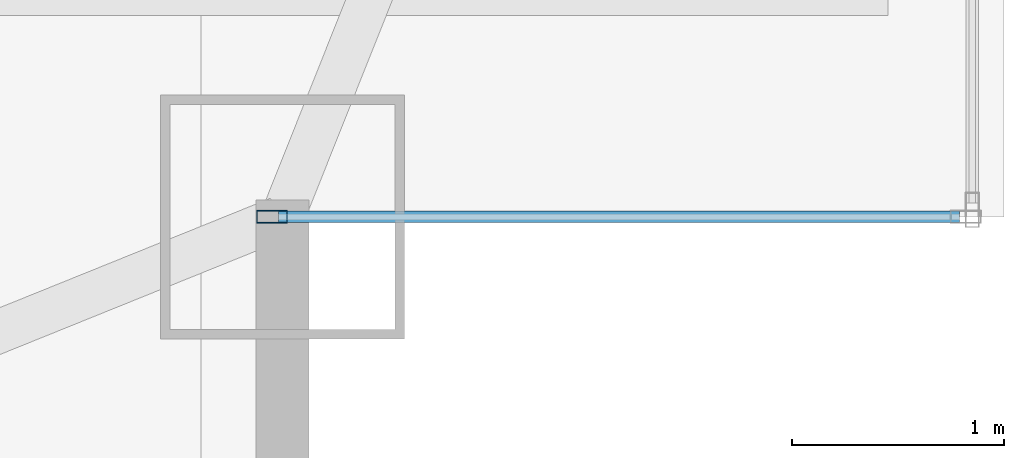
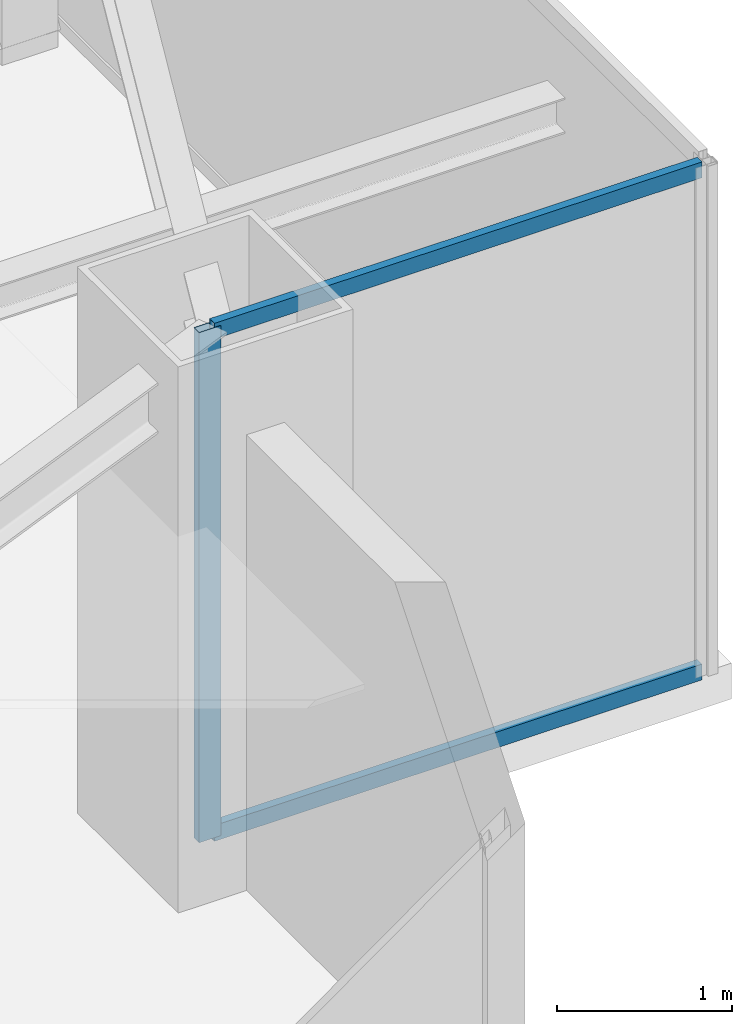
# One storey, part 15 of 31: 3 members, 1 element without a shape of its own.
"""IFC4 building model written with IfcOpenShell, lengths in metres."""

from ifc_helpers import new_model, si_unit, direction, frame, origin, origin_2d, place, context, subcontext, project, spatial, hollow_rectangle, extrude, source, transform, mapped, material, layer, layer_set, material_profile, profile_set, type_object, type_shapes, element, aggregate, save


model = new_model("IFC4")

# Units and contexts
model_context = context("Model", 3, precision=1e-05, world=origin(), true_north=direction((0.0, 1.0)))
body_context = subcontext(model_context, "Body", "Model", "MODEL_VIEW")
ifc_project = project(units=[si_unit("LENGTHUNIT", "METRE"), si_unit("AREAUNIT", "SQUARE_METRE"), si_unit("VOLUMEUNIT", "CUBIC_METRE"), si_unit("PLANEANGLEUNIT", "RADIAN"), si_unit("MASSUNIT", "GRAM", prefix="KILO")], contexts=[model_context])

# Site, building, storey
site_placement = place(None, origin())
site = spatial("IfcSite", under=ifc_project, at=site_placement, CompositionType="ELEMENT")
building_placement = place(site_placement, origin())
building = spatial("IfcBuilding", under=site, at=building_placement, Name="Varnel Quay Broadcast Tower", CompositionType="ELEMENT")
storey_placement = place(building_placement, frame((0.0, 0.0, 239.39990234375)))
storey = spatial("IfcBuildingStorey", under=building, at=storey_placement, Name="L59", CompositionType="ELEMENT", Elevation=239.39990234375)

# Curtain wall, members
ifc_material = material(Name="Anodised Bronze Aluminium 6063-T6", Category="aluminium")
ifc_layer = layer(ifc_material, 0.18994140625, Name="Anodised Bronze Aluminium 6063-T6")
ifc_layer_set = layer_set([ifc_layer], Name="Anodised Bronze Aluminium 6063-T6")
curtain_wall_type = type_object("IfcCurtainWallType", Name="CW_NotchCorner", PredefinedType="NOTDEFINED", material=ifc_layer_set)
curtain_wall_placement = place(storey_placement, origin())
curtain_wall = element("IfcCurtainWall", 1, at=curtain_wall_placement, inside=storey, type_object=curtain_wall_type, Name="L59 SE Notch Curtain Wall", PredefinedType="NOTDEFINED")
ifc_material_profile_1 = material_profile(ifc_material, hollow_rectangle(XDim=0.06005859375, YDim=0.14501953125, WallThickness=0.00341796875, at=origin_2d()), Name="ALU60X145X3.5")
ifc_profile_set_1 = profile_set([ifc_material_profile_1], Name="Anodised Bronze Aluminium 6063-T6")
member_type_1 = type_object("IfcMemberType", Name="Mull_CWS-04", PredefinedType="MULLION", material=ifc_profile_set_1)
shared_shape_1 = source(origin(), body_context, "Body", "SweptSolid", [
    extrude(hollow_rectangle(XDim=0.06005859375, YDim=0.14501953125, WallThickness=0.00341796875, at=origin_2d()), origin(), (0.0, 0.0, 1.0), 3.550048828125),
])
type_shapes(member_type_1, [shared_shape_1])
member_1_placement = place(storey_placement, frame((55.050048828125, 13.60009765625, 0.0), z_axis=(0.0, 0.0, 1.0), x_axis=(0.0, 1.0, 0.0)))
member_1 = element("IfcMember", 2, at=member_1_placement, type_object=member_type_1, Name="CWS-04 mullion 1", PredefinedType="MULLION", context=body_context, shape_type="MappedRepresentation", body=[
    mapped(shared_shape_1, transform((0.0, 0.0, 0.0), x_axis=(1.0, 0.0, 0.0), y_axis=(0.0, 1.0, 0.0), z_axis=(0.0, 0.0, 1.0), scale=1.0)),
])
ifc_material_profile_2 = material_profile(ifc_material, hollow_rectangle(XDim=0.054931640625, YDim=0.110107421875, WallThickness=0.0029296875, at=origin_2d()), Name="ALU55X110X3")
ifc_profile_set_2 = profile_set([ifc_material_profile_2], Name="Anodised Bronze Aluminium 6063-T6")
member_type_2 = type_object("IfcMemberType", Name="Tran_CWS-04", PredefinedType="USERDEFINED", material=ifc_profile_set_2)
shared_shape_2 = source(origin(), body_context, "Body", "SweptSolid", [
    extrude(hollow_rectangle(XDim=0.054931640625, YDim=0.110107421875, WallThickness=0.0029296875, at=origin_2d()), origin(), (0.0, 0.0, 1.0), 3.2099609375),
])
type_shapes(member_type_2, [shared_shape_2])
member_2_placement = place(storey_placement, frame((55.080078125, 13.60009765625, 0.027587890625), z_axis=(1.0, 0.0, 0.0), x_axis=(0.0, 1.0, 0.0)))
member_2 = element("IfcMember", 3, at=member_2_placement, type_object=member_type_2, Name="CWS-04 transom 1.1", ObjectType="TRANSOM", PredefinedType="USERDEFINED", context=body_context, shape_type="MappedRepresentation", body=[
    mapped(shared_shape_2, transform((0.0, 0.0, 0.0), x_axis=(1.0, 0.0, 0.0), y_axis=(0.0, 1.0, 0.0), z_axis=(0.0, 0.0, 1.0), scale=1.0)),
])
member_3_placement = place(storey_placement, frame((55.080078125, 13.60009765625, 3.522705078125), z_axis=(1.0, 0.0, 0.0), x_axis=(0.0, 1.0, 0.0)))
member_3 = element("IfcMember", 4, at=member_3_placement, type_object=member_type_2, Name="CWS-04 transom 1.2", ObjectType="TRANSOM", PredefinedType="USERDEFINED", context=body_context, shape_type="MappedRepresentation", body=[
    mapped(shared_shape_2, transform((0.0, 0.0, 0.0), x_axis=(1.0, 0.0, 0.0), y_axis=(0.0, 1.0, 0.0), z_axis=(0.0, 0.0, 1.0), scale=1.0)),
])
aggregate(curtain_wall, [member_1, member_2, member_3])

save(model, "model.ifc")
